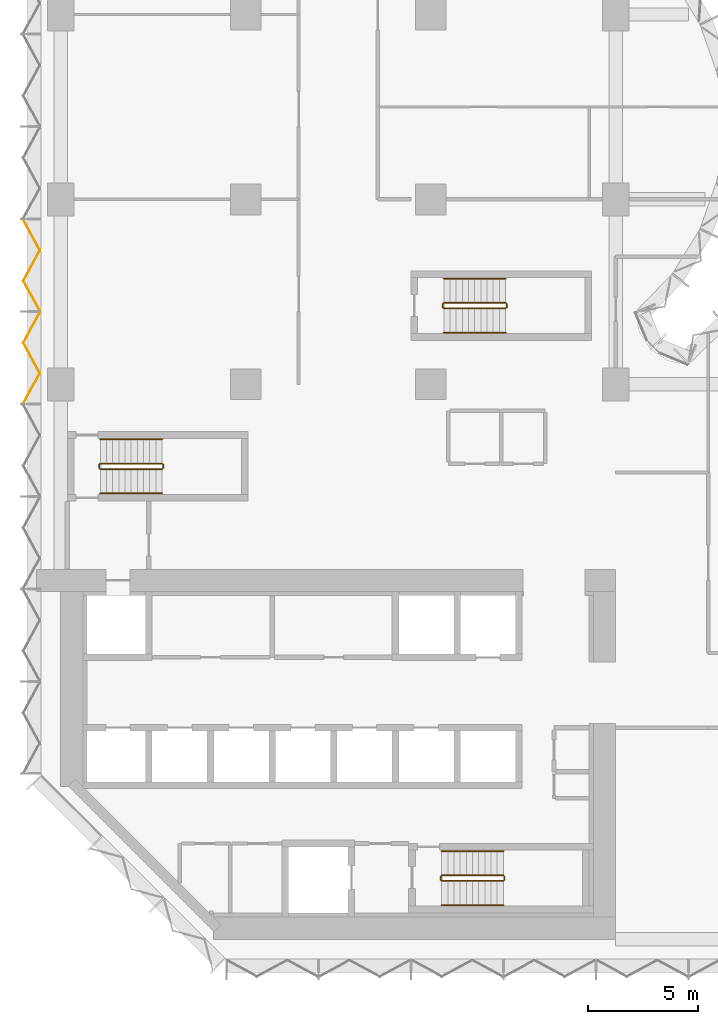
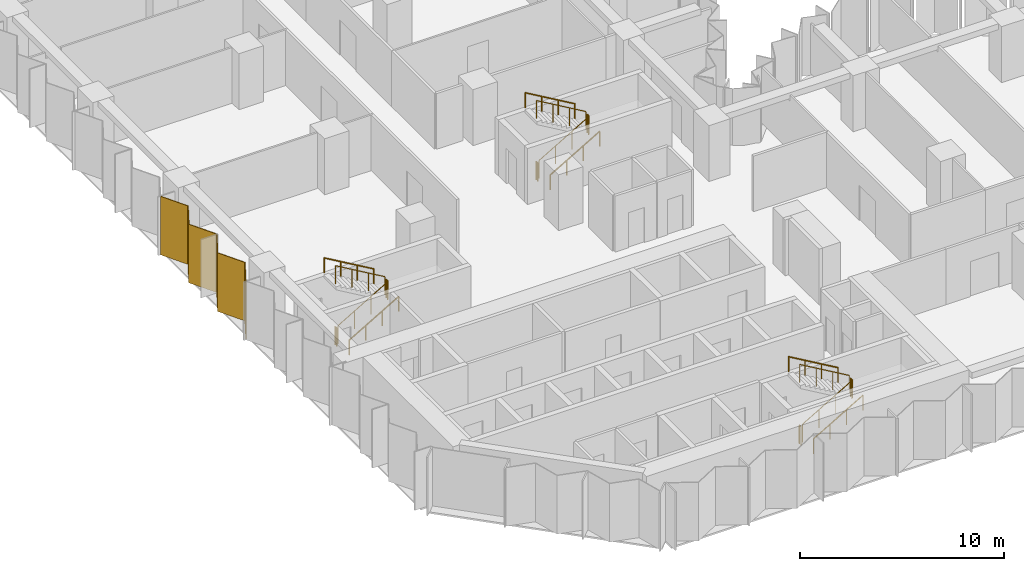
# One storey, part 13 of 15: 18 railings, 2 coverings, 1 element without a shape of its own.
"""IFC4 building model written with IfcOpenShell, lengths in metres."""

from ifc_helpers import new_model, si_unit, direction, frame, origin, origin_2d, place, context, subcontext, project, spatial, polyline, circle, outline, extrude, material, layer, layer_set, type_object, element, aggregate, save


model = new_model("IFC4")

# Units and contexts
model_context = context("Model", 3, precision=1e-05, world=origin(), true_north=direction((0.0, 1.0)))
body_context = subcontext(model_context, "Body", "Model", "MODEL_VIEW")
ifc_project = project(units=[si_unit("LENGTHUNIT", "METRE"), si_unit("AREAUNIT", "SQUARE_METRE"), si_unit("VOLUMEUNIT", "CUBIC_METRE"), si_unit("PLANEANGLEUNIT", "RADIAN"), si_unit("MASSUNIT", "GRAM", prefix="KILO")], contexts=[model_context])

# Site, building, storey
site_placement = place(None, origin())
site = spatial("IfcSite", under=ifc_project, at=site_placement, CompositionType="ELEMENT")
building_placement = place(site_placement, origin())
building = spatial("IfcBuilding", under=site, at=building_placement, Name="Brevane Broadcast Tower", CompositionType="ELEMENT")
storey_placement = place(building_placement, frame((0.0, 0.0, 76.10009765625)))
storey = spatial("IfcBuildingStorey", under=building, at=storey_placement, Name="L17", CompositionType="ELEMENT", Elevation=76.10009765625)

# Railings
ifc_material_1 = material(Name="Steel S355", Category="steel")
railing_type_1 = type_object("IfcRailingType", Name="Exit stair guard", PredefinedType="GUARDRAIL", material=ifc_material_1)
railing_1_placement = place(storey_placement, frame((1.800048828125, 21.35009765625, 0.16357421875)))
element("IfcRailing", 1, at=railing_1_placement, inside=storey, type_object=railing_type_1, Name="L17 ST-1 stair guard 1", PredefinedType="GUARDRAIL", context=body_context, shape_type="SweptSolid", body=[
    extrude(circle(Radius=0.02392578125, at=origin_2d()), frame((0.0, 0.0, 1.076171875), z_axis=(0.863393664356, 0.0, 0.504530851732), x_axis=(0.0, 1.0, 0.0)), (0.0, 0.0, 1.0), 3.2431640625),
    extrude(circle(Radius=0.02099609375, at=origin_2d()), origin(), (0.0, 0.0, 1.0), 1.052001953125),
    extrude(circle(Radius=0.02099609375, at=origin_2d()), frame((0.933349609375, 0.0, 0.54541015625)), (0.0, 0.0, 1.0), 1.052001953125),
    extrude(circle(Radius=0.02099609375, at=origin_2d()), frame((1.86669921875, 0.0, 1.0908203125)), (0.0, 0.0, 1.0), 1.052001953125),
    extrude(circle(Radius=0.02099609375, at=origin_2d()), frame((2.800048828125, 0.0, 1.63623046875)), (0.0, 0.0, 1.0), 1.052001953125),
])
railing_2_placement = place(storey_placement, frame((4.64990234375, 21.39990234375, 1.7998046875)))
element("IfcRailing", 2, at=railing_2_placement, inside=storey, type_object=railing_type_1, Name="L17 ST-1 stair guard 2", PredefinedType="GUARDRAIL", context=body_context, shape_type="SweptSolid", body=[
    extrude(circle(Radius=0.02392578125, at=origin_2d()), frame((0.0, 0.0, 1.076171875), z_axis=(0.0, 1.0, 0.0), x_axis=(-1.0, 0.0, 0.0)), (0.0, 0.0, 1.0), 0.150146484375),
    extrude(circle(Radius=0.02099609375, at=origin_2d()), origin(), (0.0, 0.0, 1.0), 1.052001953125),
    extrude(circle(Radius=0.02099609375, at=origin_2d()), frame((0.0, 0.150146484375, 0.0)), (0.0, 0.0, 1.0), 1.052001953125),
])
railing_3_placement = place(storey_placement, frame((4.60009765625, 21.60009765625, 1.963623046875)))
element("IfcRailing", 3, at=railing_3_placement, inside=storey, type_object=railing_type_1, Name="L17 ST-1 stair guard 3", PredefinedType="GUARDRAIL", context=body_context, shape_type="SweptSolid", body=[
    extrude(circle(Radius=0.02392578125, at=origin_2d()), frame((0.0, 0.0, 1.076171875), z_axis=(-0.863393664356, 0.0, 0.504530851732), x_axis=(0.0, -1.0, 0.0)), (0.0, 0.0, 1.0), 3.2431640625),
    extrude(circle(Radius=0.02099609375, at=origin_2d()), origin(), (0.0, 0.0, 1.0), 1.052001953125),
    extrude(circle(Radius=0.02099609375, at=origin_2d()), frame((-0.933349609375, 0.0, 0.54541015625)), (0.0, 0.0, 1.0), 1.052001953125),
    extrude(circle(Radius=0.02099609375, at=origin_2d()), frame((-1.86669921875, 0.0, 1.0908203125)), (0.0, 0.0, 1.0), 1.052001953125),
    extrude(circle(Radius=0.02099609375, at=origin_2d()), frame((-2.800048828125, 0.0, 1.63623046875)), (0.0, 0.0, 1.0), 1.052001953125),
])
railing_4_placement = place(storey_placement, frame((1.75, 21.39990234375, 0.0)))
element("IfcRailing", 4, at=railing_4_placement, inside=storey, type_object=railing_type_1, Name="L17 ST-1 stair guard 4", PredefinedType="GUARDRAIL", context=body_context, shape_type="SweptSolid", body=[
    extrude(circle(Radius=0.02392578125, at=origin_2d()), frame((0.0, 0.0, 1.076171875), z_axis=(0.0, 1.0, 0.0), x_axis=(-1.0, 0.0, 0.0)), (0.0, 0.0, 1.0), 0.150146484375),
    extrude(circle(Radius=0.02099609375, at=origin_2d()), origin(), (0.0, 0.0, 1.0), 1.052001953125),
    extrude(circle(Radius=0.02099609375, at=origin_2d()), frame((0.0, 0.150146484375, 0.0)), (0.0, 0.0, 1.0), 1.052001953125),
])
railing_5_placement = place(storey_placement, frame((17.300048828125, 2.64990234375, 0.16357421875)))
element("IfcRailing", 5, at=railing_5_placement, inside=storey, type_object=railing_type_1, Name="L17 ST-2 stair guard 1", PredefinedType="GUARDRAIL", context=body_context, shape_type="SweptSolid", body=[
    extrude(circle(Radius=0.02392578125, at=origin_2d()), frame((0.0, 0.0, 1.076171875), z_axis=(0.863393664356, 0.0, 0.504530851732), x_axis=(0.0, 1.0, 0.0)), (0.0, 0.0, 1.0), 3.2431640625),
    extrude(circle(Radius=0.02099609375, at=origin_2d()), origin(), (0.0, 0.0, 1.0), 1.052001953125),
    extrude(circle(Radius=0.02099609375, at=origin_2d()), frame((0.933349609375, 0.0, 0.54541015625)), (0.0, 0.0, 1.0), 1.052001953125),
    extrude(circle(Radius=0.02099609375, at=origin_2d()), frame((1.86669921875, 0.0, 1.0908203125)), (0.0, 0.0, 1.0), 1.052001953125),
    extrude(circle(Radius=0.02099609375, at=origin_2d()), frame((2.800048828125, 0.0, 1.63623046875)), (0.0, 0.0, 1.0), 1.052001953125),
])
railing_6_placement = place(storey_placement, frame((20.14990234375, 2.699951171875, 1.7998046875)))
element("IfcRailing", 6, at=railing_6_placement, inside=storey, type_object=railing_type_1, Name="L17 ST-2 stair guard 2", PredefinedType="GUARDRAIL", context=body_context, shape_type="SweptSolid", body=[
    extrude(circle(Radius=0.02392578125, at=origin_2d()), frame((0.0, 0.0, 1.076171875), z_axis=(0.0, 1.0, 0.0), x_axis=(-1.0, 0.0, 0.0)), (0.0, 0.0, 1.0), 0.150146484375),
    extrude(circle(Radius=0.02099609375, at=origin_2d()), origin(), (0.0, 0.0, 1.0), 1.052001953125),
    extrude(circle(Radius=0.02099609375, at=origin_2d()), frame((0.0, 0.150146484375, 0.0)), (0.0, 0.0, 1.0), 1.052001953125),
])
railing_7_placement = place(storey_placement, frame((20.10009765625, 2.89990234375, 1.963623046875)))
element("IfcRailing", 7, at=railing_7_placement, inside=storey, type_object=railing_type_1, Name="L17 ST-2 stair guard 3", PredefinedType="GUARDRAIL", context=body_context, shape_type="SweptSolid", body=[
    extrude(circle(Radius=0.02392578125, at=origin_2d()), frame((0.0, 0.0, 1.076171875), z_axis=(-0.863393664356, 0.0, 0.504530851732), x_axis=(0.0, -1.0, 0.0)), (0.0, 0.0, 1.0), 3.2431640625),
    extrude(circle(Radius=0.02099609375, at=origin_2d()), origin(), (0.0, 0.0, 1.0), 1.052001953125),
    extrude(circle(Radius=0.02099609375, at=origin_2d()), frame((-0.933349609375, 0.0, 0.54541015625)), (0.0, 0.0, 1.0), 1.052001953125),
    extrude(circle(Radius=0.02099609375, at=origin_2d()), frame((-1.86669921875, 0.0, 1.0908203125)), (0.0, 0.0, 1.0), 1.052001953125),
    extrude(circle(Radius=0.02099609375, at=origin_2d()), frame((-2.800048828125, 0.0, 1.63623046875)), (0.0, 0.0, 1.0), 1.052001953125),
])
railing_8_placement = place(storey_placement, frame((17.25, 2.699951171875, 0.0)))
element("IfcRailing", 8, at=railing_8_placement, inside=storey, type_object=railing_type_1, Name="L17 ST-2 stair guard 4", PredefinedType="GUARDRAIL", context=body_context, shape_type="SweptSolid", body=[
    extrude(circle(Radius=0.02392578125, at=origin_2d()), frame((0.0, 0.0, 1.076171875), z_axis=(0.0, 1.0, 0.0), x_axis=(-1.0, 0.0, 0.0)), (0.0, 0.0, 1.0), 0.150146484375),
    extrude(circle(Radius=0.02099609375, at=origin_2d()), origin(), (0.0, 0.0, 1.0), 1.052001953125),
    extrude(circle(Radius=0.02099609375, at=origin_2d()), frame((0.0, 0.150146484375, 0.0)), (0.0, 0.0, 1.0), 1.052001953125),
])
railing_9_placement = place(storey_placement, frame((17.39990234375, 28.64990234375, 0.16357421875)))
element("IfcRailing", 9, at=railing_9_placement, inside=storey, type_object=railing_type_1, Name="L17 ST-3 stair guard 1", PredefinedType="GUARDRAIL", context=body_context, shape_type="SweptSolid", body=[
    extrude(circle(Radius=0.02392578125, at=origin_2d()), frame((0.0, 0.0, 1.076171875), z_axis=(0.863393664356, 0.0, 0.504530851732), x_axis=(0.0, 1.0, 0.0)), (0.0, 0.0, 1.0), 3.2431640625),
    extrude(circle(Radius=0.02099609375, at=origin_2d()), origin(), (0.0, 0.0, 1.0), 1.052001953125),
    extrude(circle(Radius=0.02099609375, at=origin_2d()), frame((0.933349609375, 0.0, 0.54541015625)), (0.0, 0.0, 1.0), 1.052001953125),
    extrude(circle(Radius=0.02099609375, at=origin_2d()), frame((1.86669921875, 0.0, 1.0908203125)), (0.0, 0.0, 1.0), 1.052001953125),
    extrude(circle(Radius=0.02099609375, at=origin_2d()), frame((2.800048828125, 0.0, 1.63623046875)), (0.0, 0.0, 1.0), 1.052001953125),
])
railing_10_placement = place(storey_placement, frame((20.25, 28.699951171875, 1.7998046875)))
element("IfcRailing", 10, at=railing_10_placement, inside=storey, type_object=railing_type_1, Name="L17 ST-3 stair guard 2", PredefinedType="GUARDRAIL", context=body_context, shape_type="SweptSolid", body=[
    extrude(circle(Radius=0.02392578125, at=origin_2d()), frame((0.0, 0.0, 1.076171875), z_axis=(0.0, 1.0, 0.0), x_axis=(-1.0, 0.0, 0.0)), (0.0, 0.0, 1.0), 0.150146484375),
    extrude(circle(Radius=0.02099609375, at=origin_2d()), origin(), (0.0, 0.0, 1.0), 1.052001953125),
    extrude(circle(Radius=0.02099609375, at=origin_2d()), frame((0.0, 0.150146484375, 0.0)), (0.0, 0.0, 1.0), 1.052001953125),
])
railing_11_placement = place(storey_placement, frame((20.199951171875, 28.89990234375, 1.963623046875)))
element("IfcRailing", 11, at=railing_11_placement, inside=storey, type_object=railing_type_1, Name="L17 ST-3 stair guard 3", PredefinedType="GUARDRAIL", context=body_context, shape_type="SweptSolid", body=[
    extrude(circle(Radius=0.02392578125, at=origin_2d()), frame((0.0, 0.0, 1.076171875), z_axis=(-0.863393664356, 0.0, 0.504530851732), x_axis=(0.0, -1.0, 0.0)), (0.0, 0.0, 1.0), 3.2431640625),
    extrude(circle(Radius=0.02099609375, at=origin_2d()), origin(), (0.0, 0.0, 1.0), 1.052001953125),
    extrude(circle(Radius=0.02099609375, at=origin_2d()), frame((-0.933349609375, 0.0, 0.54541015625)), (0.0, 0.0, 1.0), 1.052001953125),
    extrude(circle(Radius=0.02099609375, at=origin_2d()), frame((-1.86669921875, 0.0, 1.0908203125)), (0.0, 0.0, 1.0), 1.052001953125),
    extrude(circle(Radius=0.02099609375, at=origin_2d()), frame((-2.800048828125, 0.0, 1.63623046875)), (0.0, 0.0, 1.0), 1.052001953125),
])
railing_12_placement = place(storey_placement, frame((17.35009765625, 28.699951171875, 0.0)))
element("IfcRailing", 12, at=railing_12_placement, inside=storey, type_object=railing_type_1, Name="L17 ST-3 stair guard 4", PredefinedType="GUARDRAIL", context=body_context, shape_type="SweptSolid", body=[
    extrude(circle(Radius=0.02392578125, at=origin_2d()), frame((0.0, 0.0, 1.076171875), z_axis=(0.0, 1.0, 0.0), x_axis=(-1.0, 0.0, 0.0)), (0.0, 0.0, 1.0), 0.150146484375),
    extrude(circle(Radius=0.02099609375, at=origin_2d()), origin(), (0.0, 0.0, 1.0), 1.052001953125),
    extrude(circle(Radius=0.02099609375, at=origin_2d()), frame((0.0, 0.150146484375, 0.0)), (0.0, 0.0, 1.0), 1.052001953125),
])
railing_type_2 = type_object("IfcRailingType", Name="Exit stair handrail", PredefinedType="HANDRAIL", material=ifc_material_1)
railing_13_placement = place(storey_placement, frame((1.800048828125, 20.25, 0.16357421875)))
element("IfcRailing", 13, at=railing_13_placement, inside=storey, type_object=railing_type_2, Name="L17 ST-1 stair handrail 1", PredefinedType="HANDRAIL", context=body_context, shape_type="SweptSolid", body=[
    extrude(circle(Radius=0.02392578125, at=origin_2d()), frame((0.0, 0.0, 0.8759765625), z_axis=(0.863393664356, 0.0, 0.504530851732), x_axis=(0.0, 1.0, 0.0)), (0.0, 0.0, 1.0), 3.2431640625),
    extrude(circle(Radius=0.02099609375, at=origin_2d()), origin(), (0.0, 0.0, 1.0), 0.851806640625),
    extrude(circle(Radius=0.02099609375, at=origin_2d()), frame((0.933349609375, 0.0, 0.54541015625)), (0.0, 0.0, 1.0), 0.851806640625),
    extrude(circle(Radius=0.02099609375, at=origin_2d()), frame((1.86669921875, 0.0, 1.0908203125)), (0.0, 0.0, 1.0), 0.851806640625),
    extrude(circle(Radius=0.02099609375, at=origin_2d()), frame((2.800048828125, 0.0, 1.63623046875)), (0.0, 0.0, 1.0), 0.851806640625),
])
railing_14_placement = place(storey_placement, frame((4.60009765625, 22.699951171875, 1.963623046875)))
element("IfcRailing", 14, at=railing_14_placement, inside=storey, type_object=railing_type_2, Name="L17 ST-1 stair handrail 2", PredefinedType="HANDRAIL", context=body_context, shape_type="SweptSolid", body=[
    extrude(circle(Radius=0.02392578125, at=origin_2d()), frame((0.0, 0.0, 0.8759765625), z_axis=(-0.863393664356, 0.0, 0.504530851732), x_axis=(0.0, -1.0, 0.0)), (0.0, 0.0, 1.0), 3.2431640625),
    extrude(circle(Radius=0.02099609375, at=origin_2d()), origin(), (0.0, 0.0, 1.0), 0.851806640625),
    extrude(circle(Radius=0.02099609375, at=origin_2d()), frame((-0.933349609375, 0.0, 0.54541015625)), (0.0, 0.0, 1.0), 0.851806640625),
    extrude(circle(Radius=0.02099609375, at=origin_2d()), frame((-1.86669921875, 0.0, 1.0908203125)), (0.0, 0.0, 1.0), 0.851806640625),
    extrude(circle(Radius=0.02099609375, at=origin_2d()), frame((-2.800048828125, 0.0, 1.63623046875)), (0.0, 0.0, 1.0), 0.851806640625),
])
railing_15_placement = place(storey_placement, frame((17.300048828125, 1.550048828125, 0.16357421875)))
element("IfcRailing", 15, at=railing_15_placement, inside=storey, type_object=railing_type_2, Name="L17 ST-2 stair handrail 1", PredefinedType="HANDRAIL", context=body_context, shape_type="SweptSolid", body=[
    extrude(circle(Radius=0.02392578125, at=origin_2d()), frame((0.0, 0.0, 0.8759765625), z_axis=(0.863393664356, 0.0, 0.504530851732), x_axis=(0.0, 1.0, 0.0)), (0.0, 0.0, 1.0), 3.2431640625),
    extrude(circle(Radius=0.02099609375, at=origin_2d()), origin(), (0.0, 0.0, 1.0), 0.851806640625),
    extrude(circle(Radius=0.02099609375, at=origin_2d()), frame((0.933349609375, 0.0, 0.54541015625)), (0.0, 0.0, 1.0), 0.851806640625),
    extrude(circle(Radius=0.02099609375, at=origin_2d()), frame((1.86669921875, 0.0, 1.0908203125)), (0.0, 0.0, 1.0), 0.851806640625),
    extrude(circle(Radius=0.02099609375, at=origin_2d()), frame((2.800048828125, 0.0, 1.63623046875)), (0.0, 0.0, 1.0), 0.851806640625),
])
railing_16_placement = place(storey_placement, frame((20.10009765625, 4.0, 1.963623046875)))
element("IfcRailing", 16, at=railing_16_placement, inside=storey, type_object=railing_type_2, Name="L17 ST-2 stair handrail 2", PredefinedType="HANDRAIL", context=body_context, shape_type="SweptSolid", body=[
    extrude(circle(Radius=0.02392578125, at=origin_2d()), frame((0.0, 0.0, 0.8759765625), z_axis=(-0.863393664356, 0.0, 0.504530851732), x_axis=(0.0, -1.0, 0.0)), (0.0, 0.0, 1.0), 3.2431640625),
    extrude(circle(Radius=0.02099609375, at=origin_2d()), origin(), (0.0, 0.0, 1.0), 0.851806640625),
    extrude(circle(Radius=0.02099609375, at=origin_2d()), frame((-0.933349609375, 0.0, 0.54541015625)), (0.0, 0.0, 1.0), 0.851806640625),
    extrude(circle(Radius=0.02099609375, at=origin_2d()), frame((-1.86669921875, 0.0, 1.0908203125)), (0.0, 0.0, 1.0), 0.851806640625),
    extrude(circle(Radius=0.02099609375, at=origin_2d()), frame((-2.800048828125, 0.0, 1.63623046875)), (0.0, 0.0, 1.0), 0.851806640625),
])
railing_17_placement = place(storey_placement, frame((17.39990234375, 27.550048828125, 0.16357421875)))
element("IfcRailing", 17, at=railing_17_placement, inside=storey, type_object=railing_type_2, Name="L17 ST-3 stair handrail 1", PredefinedType="HANDRAIL", context=body_context, shape_type="SweptSolid", body=[
    extrude(circle(Radius=0.02392578125, at=origin_2d()), frame((0.0, 0.0, 0.8759765625), z_axis=(0.863393664356, 0.0, 0.504530851732), x_axis=(0.0, 1.0, 0.0)), (0.0, 0.0, 1.0), 3.2431640625),
    extrude(circle(Radius=0.02099609375, at=origin_2d()), origin(), (0.0, 0.0, 1.0), 0.851806640625),
    extrude(circle(Radius=0.02099609375, at=origin_2d()), frame((0.933349609375, 0.0, 0.54541015625)), (0.0, 0.0, 1.0), 0.851806640625),
    extrude(circle(Radius=0.02099609375, at=origin_2d()), frame((1.86669921875, 0.0, 1.0908203125)), (0.0, 0.0, 1.0), 0.851806640625),
    extrude(circle(Radius=0.02099609375, at=origin_2d()), frame((2.800048828125, 0.0, 1.63623046875)), (0.0, 0.0, 1.0), 0.851806640625),
])
railing_18_placement = place(storey_placement, frame((20.199951171875, 30.0, 1.963623046875)))
element("IfcRailing", 18, at=railing_18_placement, inside=storey, type_object=railing_type_2, Name="L17 ST-3 stair handrail 2", PredefinedType="HANDRAIL", context=body_context, shape_type="SweptSolid", body=[
    extrude(circle(Radius=0.02392578125, at=origin_2d()), frame((0.0, 0.0, 0.8759765625), z_axis=(-0.863393664356, 0.0, 0.504530851732), x_axis=(0.0, -1.0, 0.0)), (0.0, 0.0, 1.0), 3.2431640625),
    extrude(circle(Radius=0.02099609375, at=origin_2d()), origin(), (0.0, 0.0, 1.0), 0.851806640625),
    extrude(circle(Radius=0.02099609375, at=origin_2d()), frame((-0.933349609375, 0.0, 0.54541015625)), (0.0, 0.0, 1.0), 0.851806640625),
    extrude(circle(Radius=0.02099609375, at=origin_2d()), frame((-1.86669921875, 0.0, 1.0908203125)), (0.0, 0.0, 1.0), 0.851806640625),
    extrude(circle(Radius=0.02099609375, at=origin_2d()), frame((-2.800048828125, 0.0, 1.63623046875)), (0.0, 0.0, 1.0), 0.851806640625),
])

# Curtain wall, coverings
ifc_material_2 = material(Name="Aluminium 6063-T6 bronze anodised", Category="aluminium")
curtain_wall_type = type_object("IfcCurtainWallType", Name="CW-1 curtain wall", PredefinedType="NOTDEFINED", material=ifc_material_2)
curtain_wall_placement = place(storey_placement, origin())
curtain_wall = element("IfcCurtainWall", 19, at=curtain_wall_placement, inside=storey, type_object=curtain_wall_type, Name="CW-1 typical tilted unit L17 west face", PredefinedType="NOTDEFINED")
ifc_material_3 = material(Name="Back-painted bronze glass shadow-box", Category="glass")
ifc_layer = layer(ifc_material_3, 0.0400390625)
ifc_layer_set = layer_set([ifc_layer], Name="Shadow-box panel 40")
covering_type = type_object("IfcCoveringType", Name="Shadow-box panel 40", PredefinedType="CLADDING", material=ifc_layer_set)
covering_1_placement = place(storey_placement, frame((0.0, 0.0, -0.150146484375)))
covering_1 = element("IfcCovering", 20, at=covering_1_placement, type_object=covering_type, Name="Shadow-box panel", PredefinedType="CLADDING", context=body_context, shape_type="SweptSolid", body=[
    extrude(outline(polyline([(-1.671630859375, 32.6650390625), (-1.717041015625, 32.6650390625), (-0.97265625, 31.288330078125), (-1.717041015625, 29.91162109375), (-0.97265625, 28.534912109375), (-0.92724609375, 28.534912109375), (-1.671630859375, 29.91162109375), (-0.92724609375, 31.288330078125), (-1.671630859375, 32.6650390625)])), origin(), (0.0, 0.0, 1.0), 3.5),
])
covering_2_placement = place(storey_placement, frame((0.0, 0.0, -0.150146484375)))
covering_2 = element("IfcCovering", 21, at=covering_2_placement, type_object=covering_type, Name="Shadow-box panel", PredefinedType="CLADDING", context=body_context, shape_type="SweptSolid", body=[
    extrude(outline(polyline([(-0.92724609375, 28.465087890625), (-0.97265625, 28.465087890625), (-1.717041015625, 27.08837890625), (-0.97265625, 25.711669921875), (-1.717041015625, 24.3349609375), (-1.671630859375, 24.3349609375), (-0.92724609375, 25.711669921875), (-1.671630859375, 27.08837890625), (-0.92724609375, 28.465087890625)])), origin(), (0.0, 0.0, 1.0), 3.5),
])
aggregate(curtain_wall, [covering_1, covering_2])

save(model, "model.ifc")
